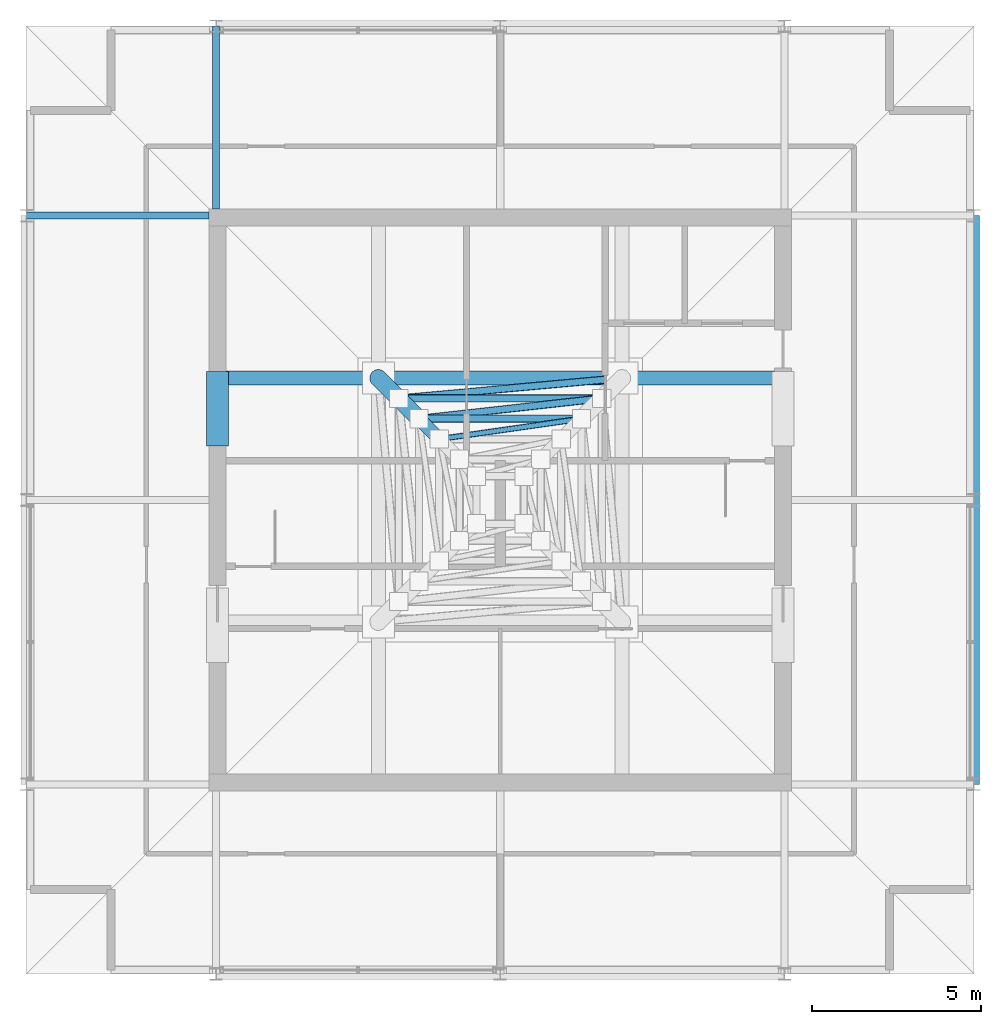
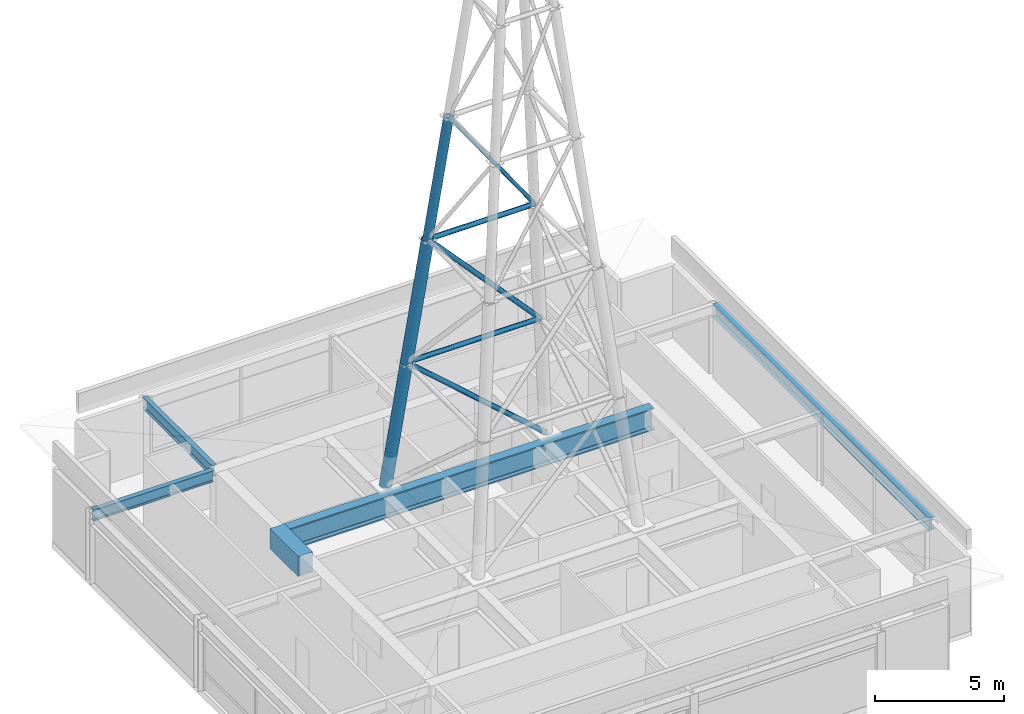
# One storey, part 9 of 13: 8 members, 5 beams.
"""IFC4 building model written with IfcOpenShell, lengths in metres."""

from ifc_helpers import new_model, si_unit, direction, frame, origin, origin_2d, place, context, subcontext, project, spatial, rectangle, hollow_circle, i_section, extrude, material, material_profile, profile_set, type_object, element, save


model = new_model("IFC4")

# Units and contexts
model_context = context("Model", 3, precision=1e-05, world=origin(), true_north=direction((0.0, 1.0)))
body_context = subcontext(model_context, "Body", "Model", "MODEL_VIEW")
ifc_project = project(units=[si_unit("LENGTHUNIT", "METRE"), si_unit("AREAUNIT", "SQUARE_METRE"), si_unit("VOLUMEUNIT", "CUBIC_METRE"), si_unit("PLANEANGLEUNIT", "RADIAN"), si_unit("MASSUNIT", "GRAM", prefix="KILO")], contexts=[model_context])

# Site, building, storey
site_placement = place(None, origin())
site = spatial("IfcSite", under=ifc_project, at=site_placement, CompositionType="ELEMENT")
building_placement = place(site_placement, origin())
building = spatial("IfcBuilding", under=site, at=building_placement, Name="Drelvath Grand Hotel", CompositionType="ELEMENT")
storey_placement = place(building_placement, frame((0.0, 0.0, 323.199951171875)))
storey = spatial("IfcBuildingStorey", under=building, at=storey_placement, Name="L84", CompositionType="ELEMENT", Elevation=323.199951171875)

# Members
ifc_material_1 = material(Name="Steel ASTM A500 Gr C", Category="steel")
ifc_material_profile_1 = material_profile(ifc_material_1, hollow_circle(Radius=0.084228515625, WallThickness=0.009521484375, at=origin_2d()), Name="CHS168X10")
ifc_profile_set_1 = profile_set([ifc_material_profile_1], Name="Steel ASTM A500 Gr C")
member_type_1 = type_object("IfcMemberType", Name="Broadcast Mast Lattice Brace CHS168X10", PredefinedType="BRACE", material=ifc_profile_set_1)
member_1_placement = place(storey_placement, frame((2.39990234375, 29.39990234375, 15.800048828125), z_axis=(-0.57154406269, -0.081630166949, 0.816501010561), x_axis=(0.141389130719, -0.989954096771, 0.0)))
element("IfcMember", 1, at=member_1_placement, inside=storey, type_object=member_type_1, Name="Broadcast Mast Lattice Brace T3-N", PredefinedType="BRACE", context=body_context, shape_type="SweptSolid", body=[
    extrude(hollow_circle(Radius=0.084228515625, WallThickness=0.009521484375, at=origin_2d()), origin(), (0.0, 0.0, 1.0), 7.348388671875),
])
ifc_material_profile_2 = material_profile(ifc_material_1, hollow_circle(Radius=0.109619140625, WallThickness=0.0126953125, at=origin_2d()), Name="CHS219X13")
ifc_profile_set_2 = profile_set([ifc_material_profile_2], Name="Steel ASTM A500 Gr C")
member_type_2 = type_object("IfcMemberType", Name="Broadcast Mast Lattice Brace CHS219X13", PredefinedType="BRACE", material=ifc_profile_set_2)
member_2_placement = place(storey_placement, frame((3.60009765625, 30.60009765625, 3.800048828125), z_axis=(-0.73827608919, -0.067125938715, 0.671150150475), x_axis=(0.090549032051, -0.995891998559, 0.0)))
element("IfcMember", 2, at=member_2_placement, inside=storey, type_object=member_type_2, Name="Broadcast Mast Lattice Brace T1-N", PredefinedType="BRACE", context=body_context, shape_type="SweptSolid", body=[
    extrude(hollow_circle(Radius=0.109619140625, WallThickness=0.0126953125, at=origin_2d()), origin(), (0.0, 0.0, 1.0), 8.93994140625),
])
member_3_placement = place(storey_placement, frame((3.0, 30.0, 9.800048828125), z_axis=(-0.667117093069, -0.074137526664, 0.741254619733), x_axis=(0.110451253797, -0.993881542506, 0.0)))
element("IfcMember", 3, at=member_3_placement, inside=storey, type_object=member_type_2, Name="Broadcast Mast Lattice Brace T2-N", PredefinedType="BRACE", context=body_context, shape_type="SweptSolid", body=[
    extrude(hollow_circle(Radius=0.109619140625, WallThickness=0.0126953125, at=origin_2d()), origin(), (0.0, 0.0, 1.0), 8.094482421875),
])
ifc_material_profile_3 = material_profile(ifc_material_1, hollow_circle(Radius=0.203125, WallThickness=0.01904296875, at=origin_2d()), Name="CHS406X19")
ifc_profile_set_3 = profile_set([ifc_material_profile_3], Name="Steel ASTM A500 Gr C")
member_type_3 = type_object("IfcMemberType", Name="Broadcast Mast Leg Post CHS406X19", PredefinedType="POST", material=ifc_profile_set_3)
member_4_placement = place(storey_placement, frame((-2.39990234375, 29.39990234375, 15.800048828125), z_axis=(0.098991054594, -0.098991054594, 0.990152282339), x_axis=(0.707106781187, 0.707106781187, 0.0)))
element("IfcMember", 4, at=member_4_placement, inside=storey, type_object=member_type_3, Name="Broadcast Mast Leg Post T3-NW", PredefinedType="POST", context=body_context, shape_type="SweptSolid", body=[
    extrude(hollow_circle(Radius=0.203125, WallThickness=0.01904296875, at=origin_2d()), origin(), (0.0, 0.0, 1.0), 6.0595703125),
])
ifc_material_2 = material(Name="Steel ASTM A501 Gr B", Category="steel")
ifc_material_profile_4 = material_profile(ifc_material_2, hollow_circle(Radius=0.25390625, WallThickness=0.025390625, at=origin_2d()), Name="CHS508X25")
ifc_profile_set_4 = profile_set([ifc_material_profile_4], Name="Steel ASTM A501 Gr B")
member_type_4 = type_object("IfcMemberType", Name="Broadcast Mast Leg Post CHS508X25", PredefinedType="POST", material=ifc_profile_set_4)
for number, where, z_axis, x_axis, name in (
    (5, (-3.60009765625, 30.60009765625, 3.800048828125), (0.099030553911, -0.099030553911, 0.990144382797), (0.707106781187, 0.707106781187, 0.0), "Broadcast Mast Leg Post T1-NW"),
    (6, (-3.0, 30.0, 9.800048828125), (0.099030553911, -0.099030553911, 0.990144382797), (0.707106781187, 0.707106781187, 0.0), "Broadcast Mast Leg Post T2-NW"),
):
    element("IfcMember", number, at=place(storey_placement, frame(where, z_axis=z_axis, x_axis=x_axis)), inside=storey, type_object=member_type_4, Name=name, PredefinedType="POST", context=body_context, shape_type="SweptSolid", body=[
        extrude(hollow_circle(Radius=0.25390625, WallThickness=0.025390625, at=origin_2d()), origin(), (0.0, 0.0, 1.0), 6.059814453125),
    ])
ifc_material_profile_5 = material_profile(ifc_material_1, hollow_circle(Radius=0.109619140625, WallThickness=0.0126953125, at=origin_2d()), Name="CHS219X13")
ifc_profile_set_5 = profile_set([ifc_material_profile_5], Name="Steel ASTM A500 Gr C")
member_type_5 = type_object("IfcMemberType", Name="Broadcast Mast Ring Chord CHS219X13", PredefinedType="CHORD", material=ifc_profile_set_5)
member_5_placement = place(storey_placement, frame((3.0, 30.0, 9.800048828125), z_axis=(-1.0, 0.0, 0.0), x_axis=(0.0, -1.0, 0.0)))
element("IfcMember", 7, at=member_5_placement, inside=storey, type_object=member_type_5, Name="Broadcast Mast Ring Chord T1-N", PredefinedType="CHORD", context=body_context, shape_type="SweptSolid", body=[
    extrude(hollow_circle(Radius=0.109619140625, WallThickness=0.0126953125, at=origin_2d()), origin(), (0.0, 0.0, 1.0), 6.0),
])
member_6_placement = place(storey_placement, frame((2.39990234375, 29.39990234375, 15.800048828125), z_axis=(-1.0, 0.0, 0.0), x_axis=(0.0, -1.0, 0.0)))
element("IfcMember", 8, at=member_6_placement, inside=storey, type_object=member_type_5, Name="Broadcast Mast Ring Chord T2-N", PredefinedType="CHORD", context=body_context, shape_type="SweptSolid", body=[
    extrude(hollow_circle(Radius=0.109619140625, WallThickness=0.0126953125, at=origin_2d()), origin(), (0.0, 0.0, 1.0), 4.7998046875),
])

# Beams
ifc_material_3 = material(Name="Concrete f'c 55 MPa", Category="concrete")
ifc_material_profile_6 = material_profile(ifc_material_3, rectangle(XDim=0.64990234375, YDim=0.949951171875, at=origin_2d()), Name="CB650X950")
ifc_profile_set_6 = profile_set([ifc_material_profile_6], Name="Concrete f'c 55 MPa")
beam_type_1 = type_object("IfcBeamType", Name="Core Coupling Lintel CB650X950", PredefinedType="LINTEL", material=ifc_profile_set_6)
beam_1_placement = place(storey_placement, frame((-8.35009765625, 28.60009765625, 2.945068359375), z_axis=(0.0, 1.0, 0.0), x_axis=(-1.0, 0.0, 0.0)))
element("IfcBeam", 9, at=beam_1_placement, inside=storey, type_object=beam_type_1, Name="L84 Core Coupling Lintel WN", PredefinedType="LINTEL", context=body_context, shape_type="SweptSolid", body=[
    extrude(rectangle(XDim=0.64990234375, YDim=0.949951171875, at=origin_2d()), origin(), (0.0, 0.0, 1.0), 2.199951171875),
])
ifc_material_4 = material(Name="Steel ASTM A992 Gr 50", Category="steel")
ifc_material_profile_7 = material_profile(ifc_material_4, i_section(OverallWidth=0.210205078125, OverallDepth=0.53662109375, WebThickness=0.010986328125, FlangeThickness=0.017333984375, FilletRadius=0.01806640625, at=origin_2d()), Name="W21X68")
ifc_profile_set_7 = profile_set([ifc_material_profile_7], Name="Steel ASTM A992 Gr 50")
beam_type_2 = type_object("IfcBeamType", Name="Primary Floor Girder W21X68", PredefinedType="BEAM", material=ifc_profile_set_7)
for number, where, z_axis, x_axis, name in (
    (10, (-14.0, 35.39990234375, 3.15185546875), (1.0, 0.0, 0.0), (0.0, 1.0, 0.0), "L84 Crown Drum Tie West F"),
    (11, (-8.39990234375, 35.60009765625, 3.15185546875), (0.0, 1.0, 0.0), (-1.0, 0.0, 0.0), "L84 Crown Drum Tie North 4"),
):
    element("IfcBeam", number, at=place(storey_placement, frame(where, z_axis=z_axis, x_axis=x_axis)), inside=storey, type_object=beam_type_2, Name=name, PredefinedType="BEAM", context=body_context, shape_type="SweptSolid", body=[
        extrude(i_section(OverallWidth=0.210205078125, OverallDepth=0.53662109375, WebThickness=0.010986328125, FlangeThickness=0.017333984375, FilletRadius=0.01806640625, at=origin_2d()), origin(), (0.0, 0.0, 1.0), 5.39990234375),
    ])
ifc_material_profile_8 = material_profile(ifc_material_4, i_section(OverallWidth=0.323974609375, OverallDepth=0.611083984375, WebThickness=0.0126953125, FlangeThickness=0.01904296875, FilletRadius=0.02197265625, at=origin_2d()), Name="W24X104")
ifc_profile_set_8 = profile_set([ifc_material_profile_8], Name="Steel ASTM A992 Gr 50")
beam_type_3 = type_object("IfcBeamType", Name="Primary Floor Girder W24X104", PredefinedType="BEAM", material=ifc_profile_set_8)
beam_2_placement = place(storey_placement, frame((14.0, 18.60009765625, 3.114501953125), z_axis=(0.0, 1.0, 0.0), x_axis=(-1.0, 0.0, 0.0)))
element("IfcBeam", 12, at=beam_2_placement, inside=storey, type_object=beam_type_3, Name="L84 Crown Drum Ring Beam East", PredefinedType="BEAM", context=body_context, shape_type="SweptSolid", body=[
    extrude(i_section(OverallWidth=0.323974609375, OverallDepth=0.611083984375, WebThickness=0.0126953125, FlangeThickness=0.01904296875, FilletRadius=0.02197265625, at=origin_2d()), origin(), (0.0, 0.0, 1.0), 16.7998046875),
])
ifc_material_profile_9 = material_profile(ifc_material_4, i_section(OverallWidth=0.40966796875, OverallDepth=1.037353515625, WebThickness=0.031005859375, FlangeThickness=0.055908203125, FilletRadius=0.030029296875, at=origin_2d()), Name="W40X397")
ifc_profile_set_9 = profile_set([ifc_material_profile_9], Name="Steel ASTM A992 Gr 50")
beam_type_4 = type_object("IfcBeamType", Name="Primary Floor Girder W40X397", PredefinedType="BEAM", material=ifc_profile_set_9)
beam_3_placement = place(storey_placement, frame((-8.35009765625, 30.60009765625, 2.9013671875), z_axis=(1.0, 0.0, 0.0), x_axis=(0.0, 1.0, 0.0)))
element("IfcBeam", 13, at=beam_3_placement, inside=storey, type_object=beam_type_4, Name="L84 Broadcast Mast Base Transfer Girder North", PredefinedType="BEAM", context=body_context, shape_type="SweptSolid", body=[
    extrude(i_section(OverallWidth=0.40966796875, OverallDepth=1.037353515625, WebThickness=0.031005859375, FlangeThickness=0.055908203125, FilletRadius=0.030029296875, at=origin_2d()), origin(), (0.0, 0.0, 1.0), 16.7001953125),
])

save(model, "model.ifc")
